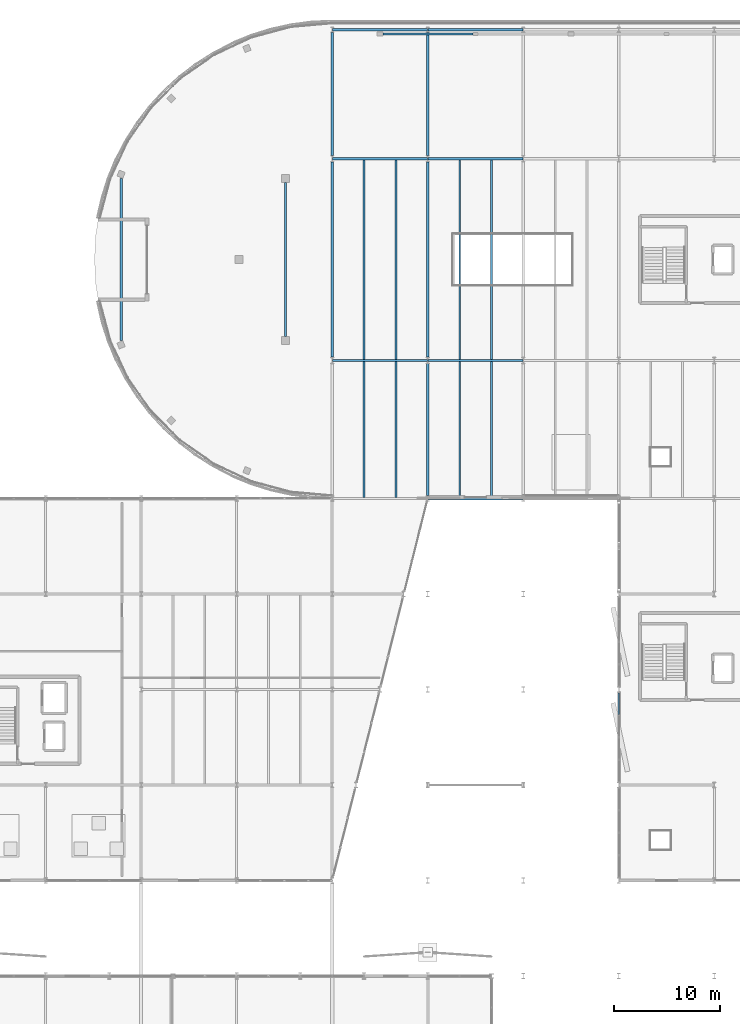
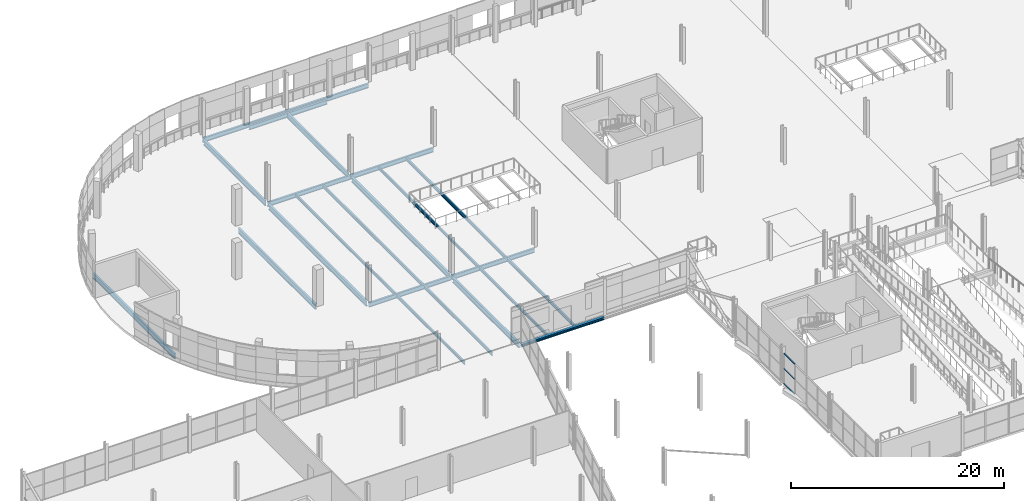
# One storey, part 80 of 140: 23 beams, 3 members, 1 element without a shape of its own.
"""IFC4 building model written with IfcOpenShell, lengths in metres."""

import ifcopenshell
import ifcopenshell.guid

model = None  # the IFC model being written
_history = None  # IfcOwnerHistory: only IFC2X3 demands one
_inside = {}  # id of a spatial element -> (the spatial element, [elements in it])
_under = {}  # id of a project, library or spatial element -> (it, [spatial elements below it])
_declared = {}  # id of a project -> (the project, [libraries it declares])
_typed = {}  # id of a type object -> (the type object, [elements of that type])
_made_of = {}  # id of a material, layer set ... -> (it, [elements and type objects made of it])


def new_model(schema):
    """Start an empty IFC model of exactly this schema.

    Asked for "IFC4X3", IfcOpenShell would pick the latest addendum, in which some entities
    have other attributes; the version numbers below select the first issue.
    IFC2X3 requires an IfcOwnerHistory on every rooted entity: one is made here for all.
    """
    global model, _history
    if schema == "IFC4X3":
        model = ifcopenshell.file(schema_version=(4, 3, 0, 0))
    else:
        model = ifcopenshell.file(schema=schema)
    _inside.clear()
    _under.clear()
    _declared.clear()
    _typed.clear()
    _made_of.clear()
    _history = None
    if model.schema == "IFC2X3":
        org = make("IfcOrganization", Name="unknown")
        user = make(
            "IfcPersonAndOrganization",
            ThePerson=make("IfcPerson", FamilyName="unknown"),
            TheOrganization=org,
        )
        app = make(
            "IfcApplication",
            ApplicationDeveloper=org,
            Version="unknown",
            ApplicationFullName="unknown",
            ApplicationIdentifier="unknown",
        )
        _history = make(
            "IfcOwnerHistory",
            OwningUser=user,
            OwningApplication=app,
            ChangeAction="ADDED",
            CreationDate=0,
        )
    return model


def make(cls, **values):
    """One entity of the class cls with the attributes given. An attribute that is None is left unset."""
    return model.create_entity(
        cls, **{name: value for name, value in values.items() if value is not None}
    )


def rooted(cls, **values):
    """An entity with a GlobalId (a new one), such as an element, a storey or a relation."""
    return make(cls, GlobalId=ifcopenshell.guid.new(), OwnerHistory=_history, **values)


def si_unit(unit_type, name, prefix=None):
    """IfcSIUnit, for example si_unit("LENGTHUNIT", "METRE", prefix="MILLI")."""
    return make("IfcSIUnit", UnitType=unit_type, Prefix=prefix, Name=name)


def assignment(units):
    """IfcUnitAssignment: the units of a project."""
    return None if units is None else make("IfcUnitAssignment", Units=units)


def point(xyz):
    """IfcCartesianPoint."""
    return None if xyz is None else make("IfcCartesianPoint", Coordinates=xyz)


def direction(xyz):
    """IfcDirection."""
    return None if xyz is None else make("IfcDirection", DirectionRatios=xyz)


def frame(location, z_axis=None, x_axis=None):
    """IfcAxis2Placement3D, a coordinate frame: its origin and axes. An axis left out is left unset."""
    return make(
        "IfcAxis2Placement3D",
        Location=point(location),
        Axis=direction(z_axis),
        RefDirection=direction(x_axis),
    )


def frame_2d(location, x_axis=None):
    """IfcAxis2Placement2D, a coordinate frame in the plane: its origin and x axis."""
    return make(
        "IfcAxis2Placement2D", Location=point(location), RefDirection=direction(x_axis)
    )


def origin():
    """The frame at (0, 0, 0) with its axes left unset."""
    return frame((0.0, 0.0, 0.0))


def origin_2d():
    """The frame at (0, 0) in the plane with its x axis left unset."""
    return frame_2d((0.0, 0.0))


def place(relative_to, where):
    """IfcLocalPlacement: puts the frame where relative to a parent placement (None: the world)."""
    return make(
        "IfcLocalPlacement", PlacementRelTo=relative_to, RelativePlacement=where
    )


def context(
    kind, dimensions, precision=None, world=None, true_north=None, identifier=None
):
    """IfcGeometricRepresentationContext, for example the 3D "Model" context."""
    return make(
        "IfcGeometricRepresentationContext",
        ContextIdentifier=identifier,
        ContextType=kind,
        CoordinateSpaceDimension=dimensions,
        Precision=precision,
        WorldCoordinateSystem=world,
        TrueNorth=true_north,
    )


def subcontext(parent, identifier, kind, view, scale=None):
    """IfcGeometricRepresentationSubContext, for example "Body" below "Model"."""
    return make(
        "IfcGeometricRepresentationSubContext",
        ContextIdentifier=identifier,
        ContextType=kind,
        ParentContext=parent,
        TargetScale=scale,
        TargetView=view,
    )


def project(units=None, contexts=None):
    """IfcProject with its units and contexts."""
    return rooted(
        "IfcProject",
        Name="project",
        RepresentationContexts=contexts,
        UnitsInContext=assignment(units),
    )


def spatial(cls, under=None, at=None, **own):
    """A site, building, storey or space (cls), placed at a placement, below another one or the project."""
    s = rooted(cls, ObjectPlacement=at, **own)
    if under is not None:
        _under.setdefault(under.id(), (under, []))[1].append(s)
    return s


def profile(cls, at=None, kind="AREA", **sizes):
    """A parametric profile (cls). Its sizes go by their IFC names, for example OverallWidth=200.0."""
    return make(cls, ProfileType=kind, Position=at, **sizes)


def hollow_rectangle(**sizes):
    """IfcRectangleHollowProfileDef."""
    return profile("IfcRectangleHollowProfileDef", **sizes)


def i_section(**sizes):
    """IfcIShapeProfileDef."""
    return profile("IfcIShapeProfileDef", **sizes)


def extrude(swept, where, along, depth):
    """IfcExtrudedAreaSolid: the profile swept, set in the frame where, extruded along a direction by depth."""
    return make(
        "IfcExtrudedAreaSolid",
        SweptArea=swept,
        Position=where,
        ExtrudedDirection=direction(along),
        Depth=depth,
    )


def shape(context_of_items, identifier, shape_type, items):
    """IfcShapeRepresentation: the items that make up one representation, for example the "Body"."""
    return make(
        "IfcShapeRepresentation",
        ContextOfItems=context_of_items,
        RepresentationIdentifier=identifier,
        RepresentationType=shape_type,
        Items=items,
    )


def material(Name=None, Category=None):
    """IfcMaterial."""
    return make("IfcMaterial", Name=Name, Category=Category)


def layer(
    of_material, thickness, ventilated=None, Name=None, Category=None, Priority=None
):
    """IfcMaterialLayer: one layer of a wall or slab, of a material (None: an air gap)."""
    return make(
        "IfcMaterialLayer",
        Material=of_material,
        LayerThickness=thickness,
        IsVentilated=ventilated,
        Name=Name,
        Category=Category,
        Priority=Priority,
    )


def layer_set(layers, Name=None):
    """IfcMaterialLayerSet."""
    return make("IfcMaterialLayerSet", MaterialLayers=layers, LayerSetName=Name)


def material_profile(
    of_material, cross_section, Name=None, Category=None, Priority=None
):
    """IfcMaterialProfile: a cross section and its material."""
    return make(
        "IfcMaterialProfile",
        Name=Name,
        Material=of_material,
        Profile=cross_section,
        Priority=Priority,
        Category=Category,
    )


def profile_set(profiles, Name=None, composite=None):
    """IfcMaterialProfileSet."""
    return make(
        "IfcMaterialProfileSet",
        Name=Name,
        MaterialProfiles=profiles,
        CompositeProfile=composite,
    )


def made_of(thing, what):
    """Note that an element or type object is made of a material, layer set ...; save() writes the relation."""
    if what is not None:
        _made_of.setdefault(what.id(), (what, []))[1].append(thing)
    return thing


def type_object(cls, material=None, **own):
    """A type object (cls), such as IfcWallType, which elements share."""
    return made_of(rooted(cls, **own), material)


def element(
    cls,
    number,
    at=None,
    inside=None,
    cuts=None,
    type_object=None,
    material=None,
    context=None,
    identifier="Body",
    shape_type=None,
    held_by="IfcProductDefinitionShape",
    body=None,
    shapes=None,
    **own,
):
    """One element of the class cls, such as IfcWall. Its Tag is "e" and its number.

    at: its placement. inside: the storey or other place that contains it. cuts: it is an
    opening in that element (IfcRelVoidsElement). A single representation is given by context,
    identifier, shape_type and body (its items); several are given by shapes. held_by: the class
    of the entity that holds the representations. save() writes the other relations.
    """
    e = rooted(cls, Tag="e%d" % number, ObjectPlacement=at, **own)
    if body is not None:
        shapes = [shape(context, identifier, shape_type, body)]
    if shapes is not None:
        e.Representation = make(held_by, Representations=shapes)
    if inside is not None:
        _inside.setdefault(inside.id(), (inside, []))[1].append(e)
    if cuts is not None:
        rooted(
            "IfcRelVoidsElement", RelatingBuildingElement=cuts, RelatedOpeningElement=e
        )
    if type_object is not None:
        _typed.setdefault(type_object.id(), (type_object, []))[1].append(e)
    return made_of(e, material)


def aggregate(whole, parts):
    """IfcRelAggregates: a whole, such as a stair, and the parts it consists of."""
    return rooted("IfcRelAggregates", RelatingObject=whole, RelatedObjects=parts)


def save(model, path):
    """Write the relations noted so far, then the file.

    IfcRelAggregates (storeys below a building ...), IfcRelContainedInSpatialStructure (elements
    in a storey), IfcRelDefinesByType, IfcRelAssociatesMaterial and IfcRelDeclares: one each for
    every whole, place, type object, material and project.
    """
    for whole, parts in _under.values():
        aggregate(whole, parts)
    for where, things in _inside.values():
        rooted(
            "IfcRelContainedInSpatialStructure",
            RelatedElements=things,
            RelatingStructure=where,
        )
    for kind, things in _typed.values():
        rooted("IfcRelDefinesByType", RelatedObjects=things, RelatingType=kind)
    for what, things in _made_of.values():
        rooted("IfcRelAssociatesMaterial", RelatedObjects=things, RelatingMaterial=what)
    for by, libraries in _declared.values():
        rooted("IfcRelDeclares", RelatingContext=by, RelatedDefinitions=libraries)
    model.write(path)


model = new_model("IFC4")

# Units and contexts
model_context = context("Model", 3, precision=1e-05, world=origin(), true_north=direction((0.0, 1.0)))
body_context = subcontext(model_context, "Body", "Model", "MODEL_VIEW")
ifc_project = project(units=[si_unit("LENGTHUNIT", "METRE"), si_unit("AREAUNIT", "SQUARE_METRE"), si_unit("VOLUMEUNIT", "CUBIC_METRE"), si_unit("PLANEANGLEUNIT", "RADIAN"), si_unit("MASSUNIT", "GRAM", prefix="KILO")], contexts=[model_context])

# Site, building, storey
site_placement = place(None, origin())
site = spatial("IfcSite", under=ifc_project, at=site_placement, CompositionType="ELEMENT")
building_placement = place(site_placement, origin())
building = spatial("IfcBuilding", under=site, at=building_placement, Name="Deido Ridge Mobility Hub", CompositionType="ELEMENT")
storey_placement = place(building_placement, origin())
storey = spatial("IfcBuildingStorey", under=building, at=storey_placement, Name="L00", CompositionType="ELEMENT", Elevation=0.0)

# Beams
ifc_material_1 = material(Name="Steel S355J2 EN 10025-2", Category="steel")
ifc_material_profile_1 = material_profile(ifc_material_1, i_section(OverallWidth=0.199951171875, OverallDepth=0.5, WebThickness=0.01025390625, FlangeThickness=0.01611328125, FilletRadius=0.02099609375, at=origin_2d()), Name="IPE 500")
ifc_profile_set_1 = profile_set([ifc_material_profile_1], Name="Steel S355J2 EN 10025-2")
beam_type_1 = type_object("IfcBeamType", Name="BM-IPE500", PredefinedType="BEAM", material=ifc_profile_set_1)
for number, where, z_axis, x_axis, name in (
    (1, (45.0078125, 94.0, -0.510009765625), (1.0, 0.0, 0.0), (0.0, 1.0, 0.0), "Floor beam B3"),
    (2, (54.0078125, 94.0, -0.510009765625), (1.0, 0.0, 0.0), (0.0, 1.0, 0.0), "Floor beam B3"),
    (3, (45.0078125, 113.0, -0.510009765625), (1.0, 0.0, 0.0), (0.0, 1.0, 0.0), "Floor beam B3"),
    (4, (54.0078125, 113.0, -0.510009765625), (1.0, 0.0, 0.0), (0.0, 1.0, 0.0), "Floor beam B3"),
):
    element("IfcBeam", number, at=place(storey_placement, frame(where, z_axis=z_axis, x_axis=x_axis)), inside=storey, type_object=beam_type_1, Name=name, PredefinedType="BEAM", context=body_context, shape_type="SweptSolid", body=[
        extrude(i_section(OverallWidth=0.199951171875, OverallDepth=0.5, WebThickness=0.01025390625, FlangeThickness=0.01611328125, FilletRadius=0.02099609375, at=origin_2d()), origin(), (0.0, 0.0, 1.0), 8.984375),
    ])
for number, where, z_axis, x_axis, name in (
    (5, (45.007080078125, 125.14990234375, -0.510009765625), (1.0, 0.0, 0.0), (0.0, 1.0, 0.0), "Floor beam B3"),
    (6, (54.007080078125, 125.14990234375, -0.510009765625), (1.0, 0.0, 0.0), (0.0, 1.0, 0.0), "Floor beam B3"),
):
    element("IfcBeam", number, at=place(storey_placement, frame(where, z_axis=z_axis, x_axis=x_axis)), inside=storey, type_object=beam_type_1, Name=name, PredefinedType="BEAM", context=body_context, shape_type="SweptSolid", body=[
        extrude(i_section(OverallWidth=0.199951171875, OverallDepth=0.5, WebThickness=0.01025390625, FlangeThickness=0.01611328125, FilletRadius=0.02099609375, at=origin_2d()), origin(), (0.0, 0.0, 1.0), 8.98583984375),
    ])
beam_1_placement = place(storey_placement, frame((49.77490234375, 124.75, -0.510009765625), z_axis=(1.0, 0.0, 0.0), x_axis=(0.0, 1.0, 0.0)))
element("IfcBeam", 7, at=beam_1_placement, inside=storey, type_object=beam_type_1, Name="Floor beam B3", PredefinedType="BEAM", context=body_context, shape_type="SweptSolid", body=[
    extrude(i_section(OverallWidth=0.199951171875, OverallDepth=0.5, WebThickness=0.01025390625, FlangeThickness=0.01611328125, FilletRadius=0.02099609375, at=origin_2d()), origin(), (0.0, 0.0, 1.0), 8.5),
])
ifc_material_profile_2 = material_profile(ifc_material_1, i_section(OverallWidth=0.219970703125, OverallDepth=0.60009765625, WebThickness=0.011962890625, FlangeThickness=0.01904296875, FilletRadius=0.02392578125, at=origin_2d()), Name="IPE 600")
ifc_profile_set_2 = profile_set([ifc_material_profile_2], Name="Steel S355J2 EN 10025-2")
beam_type_2 = type_object("IfcBeamType", Name="BM-IPE600", PredefinedType="BEAM", material=ifc_profile_set_2)
beam_2_placement = place(storey_placement, frame((25.110107421875, 95.8505859375, -0.56005859375), z_axis=(0.0, 1.0, 0.0), x_axis=(-1.0, 0.0, 0.0)))
element("IfcBeam", 8, at=beam_2_placement, inside=storey, type_object=beam_type_2, Name="Floor beam B1", PredefinedType="BEAM", context=body_context, shape_type="SweptSolid", body=[
    extrude(i_section(OverallWidth=0.219970703125, OverallDepth=0.60009765625, WebThickness=0.011962890625, FlangeThickness=0.01904296875, FilletRadius=0.02392578125, at=origin_2d()), origin(), (0.0, 0.0, 1.0), 15.298828125),
])
beam_3_placement = place(storey_placement, frame((40.60009765625, 96.2548828125, -0.56005859375), z_axis=(0.0, 1.0, 0.0), x_axis=(-1.0, 0.0, 0.0)))
element("IfcBeam", 9, at=beam_3_placement, inside=storey, type_object=beam_type_2, Name="Floor beam B1", PredefinedType="BEAM", context=body_context, shape_type="SweptSolid", body=[
    extrude(i_section(OverallWidth=0.219970703125, OverallDepth=0.60009765625, WebThickness=0.011962890625, FlangeThickness=0.01904296875, FilletRadius=0.02392578125, at=origin_2d()), origin(), (0.0, 0.0, 1.0), 14.490234375),
])
beam_4_placement = place(storey_placement, frame((45.0, 94.300048828125, -0.56005859375), z_axis=(0.0, 1.0, 0.0), x_axis=(-1.0, 0.0, 0.0)))
element("IfcBeam", 10, at=beam_4_placement, inside=storey, type_object=beam_type_2, Name="Floor beam B1", PredefinedType="BEAM", context=body_context, shape_type="SweptSolid", body=[
    extrude(i_section(OverallWidth=0.219970703125, OverallDepth=0.60009765625, WebThickness=0.011962890625, FlangeThickness=0.01904296875, FilletRadius=0.02392578125, at=origin_2d()), origin(), (0.0, 0.0, 1.0), 18.39990234375),
])
beam_5_placement = place(storey_placement, frame((45.0, 113.300048828125, -0.56005859375), z_axis=(0.0, 1.0, 0.0), x_axis=(-1.0, 0.0, 0.0)))
element("IfcBeam", 11, at=beam_5_placement, inside=storey, type_object=beam_type_2, Name="Floor beam B1", PredefinedType="BEAM", context=body_context, shape_type="SweptSolid", body=[
    extrude(i_section(OverallWidth=0.219970703125, OverallDepth=0.60009765625, WebThickness=0.011962890625, FlangeThickness=0.01904296875, FilletRadius=0.02392578125, at=origin_2d()), origin(), (0.0, 0.0, 1.0), 11.599853515625),
])
beam_6_placement = place(storey_placement, frame((54.0, 81.25, -0.56005859375), z_axis=(0.0, 1.0, 0.0), x_axis=(-1.0, 0.0, 0.0)))
element("IfcBeam", 12, at=beam_6_placement, inside=storey, type_object=beam_type_2, Name="Floor beam B1", PredefinedType="BEAM", context=body_context, shape_type="SweptSolid", body=[
    extrude(i_section(OverallWidth=0.219970703125, OverallDepth=0.60009765625, WebThickness=0.011962890625, FlangeThickness=0.01904296875, FilletRadius=0.02392578125, at=origin_2d()), origin(), (0.0, 0.0, 1.0), 12.449951171875),
])
beam_7_placement = place(storey_placement, frame((54.0, 94.300048828125, -0.56005859375), z_axis=(0.0, 1.0, 0.0), x_axis=(-1.0, 0.0, 0.0)))
element("IfcBeam", 13, at=beam_7_placement, inside=storey, type_object=beam_type_2, Name="Floor beam B1", PredefinedType="BEAM", context=body_context, shape_type="SweptSolid", body=[
    extrude(i_section(OverallWidth=0.219970703125, OverallDepth=0.60009765625, WebThickness=0.011962890625, FlangeThickness=0.01904296875, FilletRadius=0.02392578125, at=origin_2d()), origin(), (0.0, 0.0, 1.0), 18.39990234375),
])
beam_8_placement = place(storey_placement, frame((54.0, 113.300048828125, -0.56005859375), z_axis=(0.0, 1.0, 0.0), x_axis=(-1.0, 0.0, 0.0)))
element("IfcBeam", 14, at=beam_8_placement, inside=storey, type_object=beam_type_2, Name="Floor beam B1", PredefinedType="BEAM", context=body_context, shape_type="SweptSolid", body=[
    extrude(i_section(OverallWidth=0.219970703125, OverallDepth=0.60009765625, WebThickness=0.011962890625, FlangeThickness=0.01904296875, FilletRadius=0.02392578125, at=origin_2d()), origin(), (0.0, 0.0, 1.0), 11.599853515625),
])
ifc_material_profile_3 = material_profile(ifc_material_1, i_section(OverallWidth=0.159912109375, OverallDepth=0.330078125, WebThickness=0.007568359375, FlangeThickness=0.011474609375, FilletRadius=0.01806640625, at=origin_2d()), Name="IPE 330")
ifc_profile_set_3 = profile_set([ifc_material_profile_3], Name="Steel S355J2 EN 10025-2")
beam_type_3 = type_object("IfcBeamType", Name="JST-IPE330", PredefinedType="JOIST", material=ifc_profile_set_3)
beam_9_placement = place(storey_placement, frame((48.0, 81.10009765625, -0.425048828125), z_axis=(0.0, 1.0, 0.0), x_axis=(-1.0, 0.0, 0.0)))
element("IfcBeam", 15, at=beam_9_placement, inside=storey, type_object=beam_type_3, Name="Composite joist J2", PredefinedType="JOIST", context=body_context, shape_type="SweptSolid", body=[
    extrude(i_section(OverallWidth=0.159912109375, OverallDepth=0.330078125, WebThickness=0.007568359375, FlangeThickness=0.011474609375, FilletRadius=0.01806640625, at=origin_2d()), origin(), (0.0, 0.0, 1.0), 12.7998046875),
])
beam_10_placement = place(storey_placement, frame((57.0, 81.14990234375, -0.425048828125), z_axis=(0.0, 1.0, 0.0), x_axis=(-1.0, 0.0, 0.0)))
element("IfcBeam", 16, at=beam_10_placement, inside=storey, type_object=beam_type_3, Name="Composite joist J2", PredefinedType="JOIST", context=body_context, shape_type="SweptSolid", body=[
    extrude(i_section(OverallWidth=0.159912109375, OverallDepth=0.330078125, WebThickness=0.007568359375, FlangeThickness=0.011474609375, FilletRadius=0.01806640625, at=origin_2d()), origin(), (0.0, 0.0, 1.0), 12.75),
])
for number, where, z_axis, x_axis, name in (
    (17, (48.0, 94.10009765625, -0.425048828125), (0.0, 1.0, 0.0), (-1.0, 0.0, 0.0), "Composite joist J2"),
    (18, (57.0, 94.10009765625, -0.425048828125), (0.0, 1.0, 0.0), (-1.0, 0.0, 0.0), "Composite joist J2"),
):
    element("IfcBeam", number, at=place(storey_placement, frame(where, z_axis=z_axis, x_axis=x_axis)), inside=storey, type_object=beam_type_3, Name=name, PredefinedType="JOIST", context=body_context, shape_type="SweptSolid", body=[
        extrude(i_section(OverallWidth=0.159912109375, OverallDepth=0.330078125, WebThickness=0.007568359375, FlangeThickness=0.011474609375, FilletRadius=0.01806640625, at=origin_2d()), origin(), (0.0, 0.0, 1.0), 18.7998046875),
    ])
ifc_material_profile_4 = material_profile(ifc_material_1, i_section(OverallWidth=0.169921875, OverallDepth=0.360107421875, WebThickness=0.008056640625, FlangeThickness=0.0126953125, FilletRadius=0.01806640625, at=origin_2d()), Name="IPE 360")
ifc_profile_set_4 = profile_set([ifc_material_profile_4], Name="Steel S355J2 EN 10025-2")
beam_type_4 = type_object("IfcBeamType", Name="JST-IPE360", PredefinedType="JOIST", material=ifc_profile_set_4)
beam_11_placement = place(storey_placement, frame((51.0, 81.10009765625, -0.43994140625), z_axis=(0.0, 1.0, 0.0), x_axis=(-1.0, 0.0, 0.0)))
element("IfcBeam", 19, at=beam_11_placement, inside=storey, type_object=beam_type_4, Name="Composite joist J1", PredefinedType="JOIST", context=body_context, shape_type="SweptSolid", body=[
    extrude(i_section(OverallWidth=0.169921875, OverallDepth=0.360107421875, WebThickness=0.008056640625, FlangeThickness=0.0126953125, FilletRadius=0.01806640625, at=origin_2d()), origin(), (0.0, 0.0, 1.0), 12.7998046875),
])
beam_12_placement = place(storey_placement, frame((60.0, 81.14990234375, -0.43994140625), z_axis=(0.0, 1.0, 0.0), x_axis=(-1.0, 0.0, 0.0)))
element("IfcBeam", 20, at=beam_12_placement, inside=storey, type_object=beam_type_4, Name="Composite joist J1", PredefinedType="JOIST", context=body_context, shape_type="SweptSolid", body=[
    extrude(i_section(OverallWidth=0.169921875, OverallDepth=0.360107421875, WebThickness=0.008056640625, FlangeThickness=0.0126953125, FilletRadius=0.01806640625, at=origin_2d()), origin(), (0.0, 0.0, 1.0), 12.75),
])
for number, where, z_axis, x_axis, name in (
    (21, (51.0, 94.10009765625, -0.43994140625), (0.0, 1.0, 0.0), (-1.0, 0.0, 0.0), "Composite joist J1"),
    (22, (60.0, 94.10009765625, -0.43994140625), (0.0, 1.0, 0.0), (-1.0, 0.0, 0.0), "Composite joist J1"),
):
    element("IfcBeam", number, at=place(storey_placement, frame(where, z_axis=z_axis, x_axis=x_axis)), inside=storey, type_object=beam_type_4, Name=name, PredefinedType="JOIST", context=body_context, shape_type="SweptSolid", body=[
        extrude(i_section(OverallWidth=0.169921875, OverallDepth=0.360107421875, WebThickness=0.008056640625, FlangeThickness=0.0126953125, FilletRadius=0.01806640625, at=origin_2d()), origin(), (0.0, 0.0, 1.0), 18.7998046875),
    ])

# Curtain wall, members
ifc_material_2 = material(Name="Anodised aluminium EN AW-6063 T6", Category="aluminium")
ifc_layer = layer(ifc_material_2, 0.1650390625, Name="Anodised aluminium EN AW-6063 T6")
ifc_layer_set = layer_set([ifc_layer], Name="Anodised aluminium EN AW-6063 T6")
curtain_wall_type = type_object("IfcCurtainWallType", Name="CW-UF-1", PredefinedType="USERDEFINED", material=ifc_layer_set)
curtain_wall_placement = place(storey_placement, origin())
curtain_wall = element("IfcCurtainWall", 23, at=curtain_wall_placement, inside=storey, type_object=curtain_wall_type, Name="Unitised curtain wall CW1", ObjectType="UNITISED FACADE", PredefinedType="USERDEFINED")
ifc_material_profile_5 = material_profile(ifc_material_2, hollow_rectangle(XDim=0.125, YDim=0.06005859375, WallThickness=0.00390625, at=origin_2d()), Name="RHS 125x60x4")
ifc_profile_set_5 = profile_set([ifc_material_profile_5], Name="Anodised aluminium EN AW-6063 T6")
member_type = type_object("IfcMemberType", Name="MEM-TRN-125X60", PredefinedType="USERDEFINED", material=ifc_profile_set_5)
member_1_placement = place(storey_placement, frame((72.0, 60.655029296875, 0.030029296875), z_axis=(0.0, 1.0, 0.0), x_axis=(-1.0, 0.0, 0.0)))
member_1 = element("IfcMember", 24, at=member_1_placement, type_object=member_type, Name="CW1 transom 4.1", ObjectType="TRANSOM", PredefinedType="USERDEFINED", context=body_context, shape_type="SweptSolid", body=[
    extrude(hollow_rectangle(XDim=0.125, YDim=0.06005859375, WallThickness=0.00390625, at=origin_2d()), origin(), (0.0, 0.0, 1.0), 2.034912109375),
])
member_2_placement = place(storey_placement, frame((72.0, 60.655029296875, 1.737548828125), z_axis=(0.0, 1.0, 0.0), x_axis=(-1.0, 0.0, 0.0)))
member_2 = element("IfcMember", 25, at=member_2_placement, type_object=member_type, Name="CW1 transom 4.2", ObjectType="TRANSOM", PredefinedType="USERDEFINED", context=body_context, shape_type="SweptSolid", body=[
    extrude(hollow_rectangle(XDim=0.125, YDim=0.06005859375, WallThickness=0.00390625, at=origin_2d()), origin(), (0.0, 0.0, 1.0), 2.034912109375),
])
member_3_placement = place(storey_placement, frame((72.0, 60.655029296875, 3.445068359375), z_axis=(0.0, 1.0, 0.0), x_axis=(-1.0, 0.0, 0.0)))
member_3 = element("IfcMember", 26, at=member_3_placement, type_object=member_type, Name="CW1 transom 4.3", ObjectType="TRANSOM", PredefinedType="USERDEFINED", context=body_context, shape_type="SweptSolid", body=[
    extrude(hollow_rectangle(XDim=0.125, YDim=0.06005859375, WallThickness=0.00390625, at=origin_2d()), origin(), (0.0, 0.0, 1.0), 2.034912109375),
])
aggregate(curtain_wall, [member_1, member_2, member_3])

# Beam
ifc_material_profile_6 = material_profile(ifc_material_1, i_section(OverallWidth=0.300048828125, OverallDepth=0.300048828125, WebThickness=0.010986328125, FlangeThickness=0.01904296875, FilletRadius=0.027099609375, at=origin_2d()), Name="HEB 300")
ifc_profile_set_6 = profile_set([ifc_material_profile_6], Name="Steel S355J2 EN 10025-2")
beam_type_5 = type_object("IfcBeamType", Name="SPD-HEB300", PredefinedType="SPANDREL", material=ifc_profile_set_6)
beam_13_placement = place(storey_placement, frame((54.007080078125, 81.0, -0.409912109375), z_axis=(1.0, 0.0, 0.0), x_axis=(0.0, 1.0, 0.0)))
element("IfcBeam", 27, at=beam_13_placement, inside=storey, type_object=beam_type_5, Name="Floor beam SP1", PredefinedType="SPANDREL", context=body_context, shape_type="SweptSolid", body=[
    extrude(i_section(OverallWidth=0.300048828125, OverallDepth=0.300048828125, WebThickness=0.010986328125, FlangeThickness=0.01904296875, FilletRadius=0.027099609375, at=origin_2d()), origin(), (0.0, 0.0, 1.0), 8.98583984375),
])

save(model, "model.ifc")
